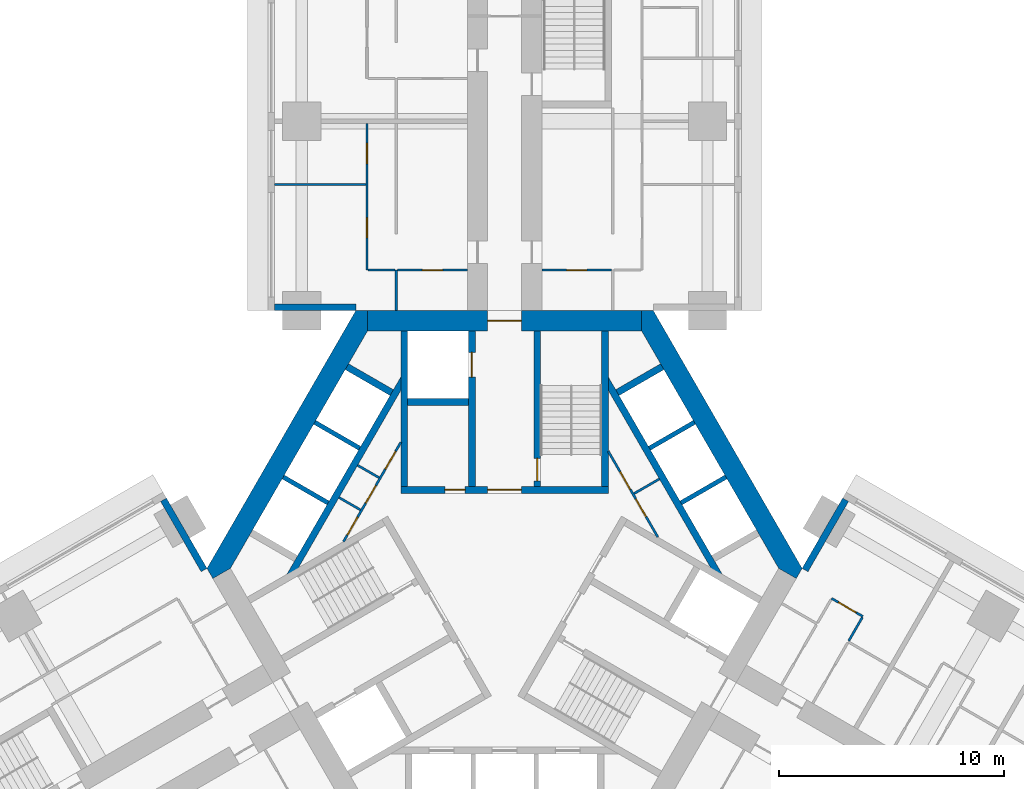
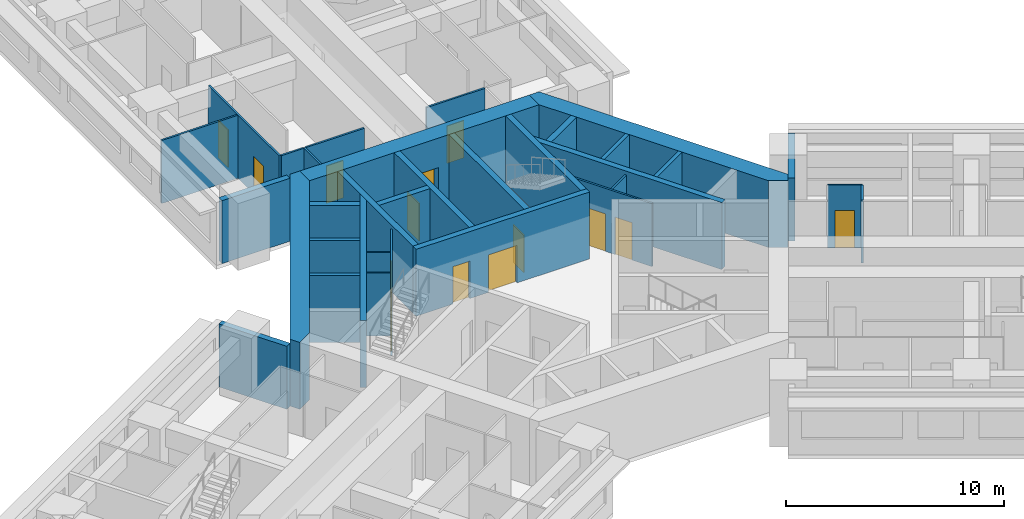
# One storey, part 8 of 16: 33 walls, 15 doors, 15 openings.
"""IFC4 building model written with IfcOpenShell, lengths in metres."""

from ifc_helpers import new_model, si_unit, direction, frame, frame_2d, origin, place, context, subcontext, project, spatial, polyline, rectangle, outline, extrude, material, layer, layer_set, type_object, element, fill, save


model = new_model("IFC4")

# Units and contexts
model_context = context("Model", 3, precision=1e-05, world=origin(), true_north=direction((0.0, 1.0)))
body_context = subcontext(model_context, "Body", "Model", "MODEL_VIEW")
ifc_project = project(units=[si_unit("LENGTHUNIT", "METRE"), si_unit("AREAUNIT", "SQUARE_METRE"), si_unit("VOLUMEUNIT", "CUBIC_METRE"), si_unit("PLANEANGLEUNIT", "RADIAN"), si_unit("MASSUNIT", "GRAM", prefix="KILO")], contexts=[model_context])

# Site, building, storey
site_placement = place(None, origin())
site = spatial("IfcSite", under=ifc_project, at=site_placement, CompositionType="ELEMENT")
building_placement = place(site_placement, origin())
building = spatial("IfcBuilding", under=site, at=building_placement, Name="Impinga Residences", CompositionType="ELEMENT")
storey_placement = place(building_placement, frame((0.0, 0.0, 37.25)))
storey = spatial("IfcBuildingStorey", under=building, at=storey_placement, Name="L08", CompositionType="ELEMENT", Elevation=37.25)

# Wall, openings, doors
ifc_material_1 = material(Name="Concrete blockwork", Category="masonry")
ifc_layer_1 = layer(ifc_material_1, 0.10009765625)
ifc_layer_set_1 = layer_set([ifc_layer_1], Name="CP1 core room partition, blockwork 100")
wall_type_1 = type_object("IfcWallType", Name="CP1 core room partition, blockwork 100", PredefinedType="PARTITIONING", material=ifc_layer_set_1)
wall_1_placement = place(storey_placement, frame((4.60009765625, 5.195556640625, 0.0), z_axis=(0.0, 0.0, 1.0), x_axis=(0.500001098885, -0.866024769342, 0.0)))
wall_1 = element("IfcWall", 1, at=wall_1_placement, inside=storey, type_object=wall_type_1, Name="Core room partition, blockwork L08:CORE:mid:FP", PredefinedType="PARTITIONING", context=body_context, shape_type="SweptSolid", body=[
    extrude(rectangle(XDim=4.39892578125, YDim=0.10009765625, at=frame_2d((2.199462890625, 0.0))), origin(), (0.0, 0.0, 1.0), 3.530029296875),
])
opening_1_placement = place(wall_1_placement, frame((1.049560546875, 0.0, 0.0)))
opening_1 = element("IfcOpeningElement", 2, at=opening_1_placement, cuts=wall_1, Name="Opening D6", PredefinedType="OPENING", context=body_context, shape_type="SweptSolid", body=[
    extrude(rectangle(XDim=0.89990234375, YDim=2.10009765625, at=frame_2d((0.449951171875, 1.050048828125))), frame((0.0, 0.06005859375, 0.0), z_axis=(0.0, -1.0, 0.0), x_axis=(1.0, 0.0, 0.0)), (0.0, 0.0, 1.0), 0.1201171875),
])
opening_2_placement = place(wall_1_placement, frame((2.449462890625, 0.0, 0.0)))
opening_2 = element("IfcOpeningElement", 3, at=opening_2_placement, cuts=wall_1, Name="Opening D6", PredefinedType="OPENING", context=body_context, shape_type="SweptSolid", body=[
    extrude(rectangle(XDim=0.89990234375, YDim=2.10009765625, at=frame_2d((0.449951171875, 1.050048828125))), frame((0.0, 0.06005859375, 0.0), z_axis=(0.0, -1.0, 0.0), x_axis=(1.0, 0.0, 0.0)), (0.0, 0.0, 1.0), 0.1201171875),
])
ifc_material_2 = material(Name="Timber door set", Category="wood")
door_type_1 = type_object("IfcDoorType", Name="D6 riser and store door 900x2100", OperationType="SINGLE_SWING_LEFT", PredefinedType="DOOR", material=ifc_material_2)
door_1_placement = place(opening_1_placement, origin())
door_1 = element("IfcDoor", 4, at=door_1_placement, inside=storey, type_object=door_type_1, Name="Cleaners' store door", OperationType="SINGLE_SWING_LEFT", OverallHeight=2.10009765625, OverallWidth=0.89990234375, PredefinedType="DOOR", context=body_context, shape_type="SweptSolid", body=[
    extrude(rectangle(XDim=0.89990234375, YDim=2.10009765625, at=frame_2d((0.449951171875, 1.050048828125))), frame((0.0, 0.02490234375, 0.0), z_axis=(0.0, -1.0, 0.0), x_axis=(1.0, 0.0, 0.0)), (0.0, 0.0, 1.0), 0.050048828125),
])
fill(opening_1, door_1)
door_2_placement = place(opening_2_placement, origin())
door_2 = element("IfcDoor", 5, at=door_2_placement, inside=storey, type_object=door_type_1, Name="Parcel store door", OperationType="SINGLE_SWING_RIGHT", OverallHeight=2.10009765625, OverallWidth=0.89990234375, PredefinedType="DOOR", context=body_context, shape_type="SweptSolid", body=[
    extrude(rectangle(XDim=0.89990234375, YDim=2.10009765625, at=frame_2d((0.449951171875, 1.050048828125))), frame((0.0, 0.02490234375, 0.0), z_axis=(0.0, -1.0, 0.0), x_axis=(1.0, 0.0, 0.0)), (0.0, 0.0, 1.0), 0.050048828125),
])
fill(opening_2, door_2)

# Wall
wall_2_placement = place(storey_placement, frame((5.7431640625, 3.315673828125, 0.0), z_axis=(0.0, 0.0, 1.0), x_axis=(0.86595725628, 0.500118016368, 0.0)))
element("IfcWall", 6, at=wall_2_placement, inside=storey, type_object=wall_type_1, Name="Core room partition, blockwork L08:CORE:mid:FS", PredefinedType="PARTITIONING", context=body_context, shape_type="SweptSolid", body=[
    extrude(rectangle(XDim=1.300048828125, YDim=0.10009765625, at=frame_2d((0.64990234375, 0.0))), origin(), (0.0, 0.0, 1.0), 3.530029296875),
])

# Wall, openings, doors
wall_3_placement = place(storey_placement, frame((-7.14599609375, 1.185791015625, 0.0), z_axis=(0.0, 0.0, 1.0), x_axis=(0.499975622669, 0.866039477586, 0.0)))
wall_3 = element("IfcWall", 7, at=wall_3_placement, inside=storey, type_object=wall_type_1, Name="Core room partition, blockwork L08:CORE:high:FP", PredefinedType="PARTITIONING", context=body_context, shape_type="SweptSolid", body=[
    extrude(rectangle(XDim=5.092041015625, YDim=0.10009765625, at=frame_2d((2.5458984375, 0.0))), origin(), (0.0, 0.0, 1.0), 3.530029296875),
])
opening_3_placement = place(wall_3_placement, frame((0.347900390625, 0.0, 0.0)))
opening_3 = element("IfcOpeningElement", 8, at=opening_3_placement, cuts=wall_3, Name="Opening D6", PredefinedType="OPENING", context=body_context, shape_type="SweptSolid", body=[
    extrude(rectangle(XDim=0.89990234375, YDim=2.10009765625, at=frame_2d((0.449951171875, 1.050048828125))), frame((0.0, 0.06005859375, 0.0), z_axis=(0.0, -1.0, 0.0), x_axis=(1.0, 0.0, 0.0)), (0.0, 0.0, 1.0), 0.1201171875),
])
opening_4_placement = place(wall_3_placement, frame((1.970947265625, 0.0, 0.0)))
opening_4 = element("IfcOpeningElement", 9, at=opening_4_placement, cuts=wall_3, Name="Opening D6", PredefinedType="OPENING", context=body_context, shape_type="SweptSolid", body=[
    extrude(rectangle(XDim=0.89990234375, YDim=2.10009765625, at=frame_2d((0.449951171875, 1.050048828125))), frame((0.0, 0.06005859375, 0.0), z_axis=(0.0, -1.0, 0.0), x_axis=(1.0, 0.0, 0.0)), (0.0, 0.0, 1.0), 0.1201171875),
])
opening_5_placement = place(wall_3_placement, frame((3.718994140625, 0.0, 0.0)))
opening_5 = element("IfcOpeningElement", 10, at=opening_5_placement, cuts=wall_3, Name="Opening D6", PredefinedType="OPENING", context=body_context, shape_type="SweptSolid", body=[
    extrude(rectangle(XDim=0.89990234375, YDim=2.10009765625, at=frame_2d((0.449951171875, 1.050048828125))), frame((0.0, 0.06005859375, 0.0), z_axis=(0.0, -1.0, 0.0), x_axis=(1.0, 0.0, 0.0)), (0.0, 0.0, 1.0), 0.1201171875),
])
door_3_placement = place(opening_3_placement, origin())
door_3 = element("IfcDoor", 11, at=door_3_placement, inside=storey, type_object=door_type_1, Name="Riser cupboard door", OperationType="SINGLE_SWING_LEFT", OverallHeight=2.10009765625, OverallWidth=0.89990234375, PredefinedType="DOOR", context=body_context, shape_type="SweptSolid", body=[
    extrude(rectangle(XDim=0.89990234375, YDim=2.10009765625, at=frame_2d((0.449951171875, 1.050048828125))), frame((0.0, 0.02490234375, 0.0), z_axis=(0.0, -1.0, 0.0), x_axis=(1.0, 0.0, 0.0)), (0.0, 0.0, 1.0), 0.050048828125),
])
fill(opening_3, door_3)
door_4_placement = place(opening_4_placement, origin())
door_4 = element("IfcDoor", 12, at=door_4_placement, inside=storey, type_object=door_type_1, Name="Linen store door", OperationType="SINGLE_SWING_LEFT", OverallHeight=2.10009765625, OverallWidth=0.89990234375, PredefinedType="DOOR", context=body_context, shape_type="SweptSolid", body=[
    extrude(rectangle(XDim=0.89990234375, YDim=2.10009765625, at=frame_2d((0.449951171875, 1.050048828125))), frame((0.0, 0.02490234375, 0.0), z_axis=(0.0, -1.0, 0.0), x_axis=(1.0, 0.0, 0.0)), (0.0, 0.0, 1.0), 0.050048828125),
])
fill(opening_4, door_4)
door_5_placement = place(opening_5_placement, origin())
door_5 = element("IfcDoor", 13, at=door_5_placement, inside=storey, type_object=door_type_1, Name="Bulky waste store door", OperationType="SINGLE_SWING_RIGHT", OverallHeight=2.10009765625, OverallWidth=0.89990234375, PredefinedType="DOOR", context=body_context, shape_type="SweptSolid", body=[
    extrude(rectangle(XDim=0.89990234375, YDim=2.10009765625, at=frame_2d((0.449951171875, 1.050048828125))), frame((0.0, 0.02490234375, 0.0), z_axis=(0.0, -1.0, 0.0), x_axis=(1.0, 0.0, 0.0)), (0.0, 0.0, 1.0), 0.050048828125),
])
fill(opening_5, door_5)

# Walls
for number, where, z_axis, x_axis, name in (
    (14, (-6.391357421875, 2.593017578125, 0.0), (0.0, 0.0, 1.0), (-0.866008176907, 0.50002983664, 0.0), "Core room partition, blockwork L08:CORE:high:FS1"),
    (15, (-5.566162109375, 4.02197265625, 0.0), (0.0, 0.0, 1.0), (-0.866008176907, 0.50002983664, 0.0), "Core room partition, blockwork L08:CORE:high:FS2"),
):
    element("IfcWall", number, at=place(storey_placement, frame(where, z_axis=z_axis, x_axis=x_axis)), inside=storey, type_object=wall_type_1, Name=name, PredefinedType="PARTITIONING", context=body_context, shape_type="SweptSolid", body=[
        extrude(rectangle(XDim=1.10009765625, YDim=0.10009765625, at=frame_2d((0.550048828125, 0.0))), origin(), (0.0, 0.0, 1.0), 3.530029296875),
    ])
ifc_material_3 = material(Name="Terracotta rainscreen on blockwork", Category="masonry")
ifc_layer_2 = layer(ifc_material_3, 0.300048828125)
ifc_layer_set_2 = layer_set([ifc_layer_2], Name="EW1 external wall, terracotta rainscreen on blockwork 300")
wall_type_2 = type_object("IfcWallType", Name="EW1 external wall, terracotta rainscreen on blockwork 300", PredefinedType="SOLIDWALL", material=ifc_layer_set_2)
wall_4_placement = place(storey_placement, frame((-15.1298828125, 3.042724609375, 0.0), z_axis=(0.0, 0.0, 1.0), x_axis=(0.500012057535, -0.866018442252, 0.0)))
element("IfcWall", 16, at=wall_4_placement, inside=storey, type_object=wall_type_2, Name="External wall EW1 L08", PredefinedType="SOLIDWALL", context=body_context, shape_type="SweptSolid", body=[
    extrude(rectangle(XDim=3.60009765625, YDim=0.300048828125, at=frame_2d((1.800048828125, 0.0))), origin(), (0.0, 0.0, 1.0), 3.530029296875),
])
wall_5_placement = place(storey_placement, frame((-6.60009765625, 11.58154296875, 0.0), z_axis=(0.0, 0.0, 1.0), x_axis=(-1.0, 0.0, 0.0)))
element("IfcWall", 17, at=wall_5_placement, inside=storey, type_object=wall_type_2, Name="External wall EW1 L08", PredefinedType="SOLIDWALL", context=body_context, shape_type="SweptSolid", body=[
    extrude(rectangle(XDim=3.599853515625, YDim=0.300048828125, at=frame_2d((1.7998046875, 0.0))), origin(), (0.0, 0.0, 1.0), 3.530029296875),
])
wall_6_placement = place(storey_placement, frame((13.329833984375, -0.074951171875, 0.0), z_axis=(0.0, 0.0, 1.0), x_axis=(0.500012057535, 0.866018442252, 0.0)))
element("IfcWall", 18, at=wall_6_placement, inside=storey, type_object=wall_type_2, Name="External wall EW1 L08", PredefinedType="SOLIDWALL", context=body_context, shape_type="SweptSolid", body=[
    extrude(rectangle(XDim=3.60009765625, YDim=0.300048828125, at=frame_2d((1.800048828125, 0.0))), origin(), (0.0, 0.0, 1.0), 3.530029296875),
])
ifc_material_4 = material(Name="Gypsum board on steel studs", Category="steel")
ifc_layer_3 = layer(ifc_material_4, 0.10009765625)
ifc_layer_set_3 = layer_set([ifc_layer_3], Name="Gypsum board on steel studs")
wall_type_3 = type_object("IfcWallType", Name="IP1 partition 100", PredefinedType="PARTITIONING", material=ifc_layer_set_3)
wall_7_placement = place(storey_placement, frame((-4.800048828125, 11.431640625, 0.0), z_axis=(0.0, 0.0, 1.0), x_axis=(0.0, 1.0, 0.0)))
element("IfcWall", 19, at=wall_7_placement, inside=storey, type_object=wall_type_3, Name="Partition L08-NA1:DIV0", PredefinedType="PARTITIONING", context=body_context, shape_type="SweptSolid", body=[
    extrude(rectangle(XDim=1.7998046875, YDim=0.10009765625, at=frame_2d((0.89990234375, 0.0))), origin(), (0.0, 0.0, 1.0), 3.530029296875),
])

# Wall, openings, doors
wall_8_placement = place(storey_placement, frame((-6.10009765625, 13.2314453125, 0.0), z_axis=(0.0, 0.0, 1.0), x_axis=(0.0, 1.0, 0.0)))
wall_8 = element("IfcWall", 20, at=wall_8_placement, inside=storey, type_object=wall_type_3, Name="Partition L08-NA1:STRIP", PredefinedType="PARTITIONING", context=body_context, shape_type="SweptSolid", body=[
    extrude(rectangle(XDim=6.5, YDim=0.10009765625, at=frame_2d((3.25, 0.0))), origin(), (0.0, 0.0, 1.0), 3.530029296875),
])
opening_6_placement = place(wall_8_placement, frame((1.425048828125, 0.0, 0.0)))
opening_6 = element("IfcOpeningElement", 21, at=opening_6_placement, cuts=wall_8, Name="Opening D2", PredefinedType="OPENING", context=body_context, shape_type="SweptSolid", body=[
    extrude(rectangle(XDim=0.89990234375, YDim=2.10009765625, at=frame_2d((0.449951171875, 1.050048828125))), frame((0.0, 0.06005859375, 0.0), z_axis=(0.0, -1.0, 0.0), x_axis=(1.0, 0.0, 0.0)), (0.0, 0.0, 1.0), 0.1201171875),
])
opening_7_placement = place(wall_8_placement, frame((4.72509765625, 0.0, 0.0)))
opening_7 = element("IfcOpeningElement", 22, at=opening_7_placement, cuts=wall_8, Name="Opening D2", PredefinedType="OPENING", context=body_context, shape_type="SweptSolid", body=[
    extrude(rectangle(XDim=0.89990234375, YDim=2.10009765625, at=frame_2d((0.449951171875, 1.050048828125))), frame((0.0, 0.06005859375, 0.0), z_axis=(0.0, -1.0, 0.0), x_axis=(1.0, 0.0, 0.0)), (0.0, 0.0, 1.0), 0.1201171875),
])
door_type_2 = type_object("IfcDoorType", Name="D2 internal door 900x2100", OperationType="SINGLE_SWING_LEFT", PredefinedType="DOOR", material=ifc_material_2)
door_6_placement = place(opening_6_placement, origin())
door_6 = element("IfcDoor", 23, at=door_6_placement, inside=storey, type_object=door_type_2, Name="Apartment L08-NA1 room door", OperationType="SINGLE_SWING_LEFT", OverallHeight=2.10009765625, OverallWidth=0.89990234375, PredefinedType="DOOR", context=body_context, shape_type="SweptSolid", body=[
    extrude(rectangle(XDim=0.89990234375, YDim=2.10009765625, at=frame_2d((0.449951171875, 1.050048828125))), frame((0.0, 0.02490234375, 0.0), z_axis=(0.0, -1.0, 0.0), x_axis=(1.0, 0.0, 0.0)), (0.0, 0.0, 1.0), 0.050048828125),
])
fill(opening_6, door_6)
door_7_placement = place(opening_7_placement, origin())
door_7 = element("IfcDoor", 24, at=door_7_placement, inside=storey, type_object=door_type_2, Name="Apartment L08-NA1 room door", OperationType="SINGLE_SWING_RIGHT", OverallHeight=2.10009765625, OverallWidth=0.89990234375, PredefinedType="DOOR", context=body_context, shape_type="SweptSolid", body=[
    extrude(rectangle(XDim=0.89990234375, YDim=2.10009765625, at=frame_2d((0.449951171875, 1.050048828125))), frame((0.0, 0.02490234375, 0.0), z_axis=(0.0, -1.0, 0.0), x_axis=(1.0, 0.0, 0.0)), (0.0, 0.0, 1.0), 0.050048828125),
])
fill(opening_7, door_7)

# Wall
wall_9_placement = place(storey_placement, frame((-4.85009765625, 13.2314453125, 0.0), z_axis=(0.0, 0.0, 1.0), x_axis=(-1.0, 0.0, 0.0)))
element("IfcWall", 25, at=wall_9_placement, inside=storey, type_object=wall_type_3, Name="Partition L08-NA1:SE0", PredefinedType="PARTITIONING", context=body_context, shape_type="SweptSolid", body=[
    extrude(rectangle(XDim=1.199951171875, YDim=0.10009765625, at=frame_2d((0.60009765625, 0.0))), origin(), (0.0, 0.0, 1.0), 3.530029296875),
])

# Wall, opening, door
wall_10_placement = place(storey_placement, frame((-1.64990234375, 13.2314453125, 0.0), z_axis=(0.0, 0.0, 1.0), x_axis=(-1.0, 0.0, 0.0)))
wall_10 = element("IfcWall", 26, at=wall_10_placement, inside=storey, type_object=wall_type_3, Name="Partition L08-NA1:IB1", PredefinedType="PARTITIONING", context=body_context, shape_type="SweptSolid", body=[
    extrude(rectangle(XDim=3.10009765625, YDim=0.10009765625, at=frame_2d((1.550048828125, 0.0))), origin(), (0.0, 0.0, 1.0), 3.530029296875),
])
opening_8_placement = place(wall_10_placement, frame((1.10009765625, 0.0, 0.0)))
opening_8 = element("IfcOpeningElement", 27, at=opening_8_placement, cuts=wall_10, Name="Opening D2", PredefinedType="OPENING", context=body_context, shape_type="SweptSolid", body=[
    extrude(rectangle(XDim=0.89990234375, YDim=2.10009765625, at=frame_2d((0.449951171875, 1.050048828125))), frame((0.0, 0.06005859375, 0.0), z_axis=(0.0, -1.0, 0.0), x_axis=(1.0, 0.0, 0.0)), (0.0, 0.0, 1.0), 0.1201171875),
])
door_8_placement = place(opening_8_placement, origin())
door_8 = element("IfcDoor", 28, at=door_8_placement, inside=storey, type_object=door_type_2, Name="Apartment L08-NA1 bathroom door", OperationType="SINGLE_SWING_LEFT", OverallHeight=2.10009765625, OverallWidth=0.89990234375, PredefinedType="DOOR", context=body_context, shape_type="SweptSolid", body=[
    extrude(rectangle(XDim=0.89990234375, YDim=2.10009765625, at=frame_2d((0.449951171875, 1.050048828125))), frame((0.0, 0.02490234375, 0.0), z_axis=(0.0, -1.0, 0.0), x_axis=(1.0, 0.0, 0.0)), (0.0, 0.0, 1.0), 0.050048828125),
])
fill(opening_8, door_8)

# Wall
wall_11_placement = place(storey_placement, frame((-6.14990234375, 17.031494140625, 0.0), z_axis=(0.0, 0.0, 1.0), x_axis=(-1.0, 0.0, 0.0)))
element("IfcWall", 29, at=wall_11_placement, inside=storey, type_object=wall_type_3, Name="Partition L08-NA1:OB1", PredefinedType="PARTITIONING", context=body_context, shape_type="SweptSolid", body=[
    extrude(rectangle(XDim=4.050048828125, YDim=0.10009765625, at=frame_2d((2.02490234375, 0.0))), origin(), (0.0, 0.0, 1.0), 3.530029296875),
])

# Wall, opening, door
wall_12_placement = place(storey_placement, frame((1.64990234375, 13.2314453125, 0.0), z_axis=(0.0, 0.0, 1.0), x_axis=(1.0, 0.0, 0.0)))
wall_12 = element("IfcWall", 30, at=wall_12_placement, inside=storey, type_object=wall_type_3, Name="Partition L08-NF1:IB1", PredefinedType="PARTITIONING", context=body_context, shape_type="SweptSolid", body=[
    extrude(rectangle(XDim=3.10009765625, YDim=0.10009765625, at=frame_2d((1.550048828125, 0.0))), origin(), (0.0, 0.0, 1.0), 3.530029296875),
])
opening_9_placement = place(wall_12_placement, frame((1.10009765625, 0.0, 0.0)))
opening_9 = element("IfcOpeningElement", 31, at=opening_9_placement, cuts=wall_12, Name="Opening D2", PredefinedType="OPENING", context=body_context, shape_type="SweptSolid", body=[
    extrude(rectangle(XDim=0.89990234375, YDim=2.10009765625, at=frame_2d((0.449951171875, 1.050048828125))), frame((0.0, 0.06005859375, 0.0), z_axis=(0.0, -1.0, 0.0), x_axis=(1.0, 0.0, 0.0)), (0.0, 0.0, 1.0), 0.1201171875),
])
door_9_placement = place(opening_9_placement, origin())
door_9 = element("IfcDoor", 32, at=door_9_placement, inside=storey, type_object=door_type_2, Name="Apartment L08-NF1 bathroom door", OperationType="SINGLE_SWING_LEFT", OverallHeight=2.10009765625, OverallWidth=0.89990234375, PredefinedType="DOOR", context=body_context, shape_type="SweptSolid", body=[
    extrude(rectangle(XDim=0.89990234375, YDim=2.10009765625, at=frame_2d((0.449951171875, 1.050048828125))), frame((0.0, 0.02490234375, 0.0), z_axis=(0.0, -1.0, 0.0), x_axis=(1.0, 0.0, 0.0)), (0.0, 0.0, 1.0), 0.050048828125),
])
fill(opening_9, door_9)

wall_13_placement = place(storey_placement, frame((14.5087890625, -1.3330078125, 0.0), z_axis=(0.0, 0.0, 1.0), x_axis=(0.866028054938, -0.499995408039, 0.0)))
wall_13 = element("IfcWall", 33, at=wall_13_placement, inside=storey, type_object=wall_type_3, Name="Partition L08-EA1:STRIP", PredefinedType="PARTITIONING", context=body_context, shape_type="SweptSolid", body=[
    extrude(rectangle(XDim=1.60009765625, YDim=0.10009765625, at=frame_2d((0.800048828125, 0.0))), origin(), (0.0, 0.0, 1.0), 3.530029296875),
])
opening_10_placement = place(wall_13_placement, frame((0.35009765625, 0.0, 0.0)))
opening_10 = element("IfcOpeningElement", 34, at=opening_10_placement, cuts=wall_13, Name="Opening D2", PredefinedType="OPENING", context=body_context, shape_type="SweptSolid", body=[
    extrude(rectangle(XDim=0.89990234375, YDim=2.10009765625, at=frame_2d((0.449951171875, 1.050048828125))), frame((0.0, 0.06005859375, 0.0), z_axis=(0.0, -1.0, 0.0), x_axis=(1.0, 0.0, 0.0)), (0.0, 0.0, 1.0), 0.1201171875),
])
door_10_placement = place(opening_10_placement, origin())
door_10 = element("IfcDoor", 35, at=door_10_placement, inside=storey, type_object=door_type_2, Name="Apartment L08-EA1 room door", OperationType="SINGLE_SWING_LEFT", OverallHeight=2.10009765625, OverallWidth=0.89990234375, PredefinedType="DOOR", context=body_context, shape_type="SweptSolid", body=[
    extrude(rectangle(XDim=0.89990234375, YDim=2.10009765625, at=frame_2d((0.449951171875, 1.050048828125))), frame((0.0, 0.02490234375, 0.0), z_axis=(0.0, -1.0, 0.0), x_axis=(1.0, 0.0, 0.0)), (0.0, 0.0, 1.0), 0.050048828125),
])
fill(opening_10, door_10)

# Wall
wall_14_placement = place(storey_placement, frame((15.26953125, -3.215576171875, 0.0), z_axis=(0.0, 0.0, 1.0), x_axis=(0.499880961361, 0.866094119867, 0.0)))
element("IfcWall", 36, at=wall_14_placement, inside=storey, type_object=wall_type_3, Name="Partition L08-EA1:SE1", PredefinedType="PARTITIONING", context=body_context, shape_type="SweptSolid", body=[
    extrude(rectangle(XDim=1.199951171875, YDim=0.10009765625, at=frame_2d((0.60009765625, 0.0))), origin(), (0.0, 0.0, 1.0), 3.530029296875),
])

# Wall, opening, door
ifc_material_5 = material(Name="Concrete C70/85", Category="concrete")
ifc_layer_4 = layer(ifc_material_5, 0.89990234375)
ifc_layer_set_4 = layer_set([ifc_layer_4], Name="Concrete C70/85")
wall_type_4 = type_object("IfcWallType", Name="SW1 core wall 900", PredefinedType="SHEAR", material=ifc_layer_set_4)
wall_15_placement = place(storey_placement, frame((-6.080322265625, 10.9814453125, 0.0), z_axis=(0.0, 0.0, 1.0), x_axis=(1.0, 0.0, 0.0)))
wall_15 = element("IfcWall", 37, at=wall_15_placement, inside=storey, type_object=wall_type_4, Name="Core wall SW1 N:FACE L08", PredefinedType="SHEAR", context=body_context, shape_type="SweptSolid", body=[
    extrude(rectangle(XDim=12.16064453125, YDim=0.89990234375, at=frame_2d((6.080322265625, 0.0))), origin(), (0.0, 0.0, 1.0), 3.75),
])
opening_11_placement = place(wall_15_placement, frame((5.330322265625, 0.0, 0.0)))
opening_11 = element("IfcOpeningElement", 38, at=opening_11_placement, cuts=wall_15, Name="Opening D4", PredefinedType="OPENING", context=body_context, shape_type="SweptSolid", body=[
    extrude(rectangle(XDim=1.5, YDim=2.10009765625, at=frame_2d((0.75, 1.050048828125))), frame((0.0, 0.4599609375, 0.0), z_axis=(0.0, -1.0, 0.0), x_axis=(1.0, 0.0, 0.0)), (0.0, 0.0, 1.0), 0.919921875),
])
door_type_3 = type_object("IfcDoorType", Name="D4 lobby door pair 1500x2100", OperationType="DOUBLE_DOOR_DOUBLE_SWING", PredefinedType="DOOR", material=ifc_material_2)
door_11_placement = place(opening_11_placement, origin())
door_11 = element("IfcDoor", 39, at=door_11_placement, inside=storey, type_object=door_type_3, Name="Lobby door N", OperationType="DOUBLE_DOOR_DOUBLE_SWING", OverallHeight=2.10009765625, OverallWidth=1.5, PredefinedType="DOOR", context=body_context, shape_type="SweptSolid", body=[
    extrude(rectangle(XDim=1.5, YDim=2.10009765625, at=frame_2d((0.75, 1.050048828125))), frame((0.0, 0.02490234375, 0.0), z_axis=(0.0, -1.0, 0.0), x_axis=(1.0, 0.0, 0.0)), (0.0, 0.0, 1.0), 0.050048828125),
])
fill(opening_11, door_11)

# Walls
wall_16_placement = place(storey_placement, origin())
element("IfcWall", 40, at=wall_16_placement, inside=storey, type_object=wall_type_4, Name="Core wall SW1 W:EXPOSED L08", PredefinedType="SHEAR", context=body_context, shape_type="SweptSolid", body=[
    extrude(outline(polyline([(13.199951171875, 0.0), (6.60009765625, 11.431640625), (6.080322265625, 11.431640625), (6.080322265625, 10.531494140625), (12.160888671875, 0.0), (12.940185546875, -0.449951171875), (13.199951171875, 0.0)])), origin(), (0.0, 0.0, 1.0), 3.75),
])
wall_17_placement = place(storey_placement, origin())
element("IfcWall", 41, at=wall_17_placement, inside=storey, type_object=wall_type_4, Name="Core wall SW1 E:EXPOSED L08", PredefinedType="SHEAR", context=body_context, shape_type="SweptSolid", body=[
    extrude(outline(polyline([(-6.60009765625, 11.431640625), (-13.199951171875, 0.0), (-12.940185546875, -0.449951171875), (-12.160888671875, 0.0), (-6.080322265625, 10.531494140625), (-6.080322265625, 11.431640625), (-6.60009765625, 11.431640625)])), origin(), (0.0, 0.0, 1.0), 3.75),
])

# Wall, openings, doors
ifc_layer_5 = layer(ifc_material_5, 0.300048828125)
ifc_layer_set_5 = layer_set([ifc_layer_5], Name="Concrete C70/85")
wall_type_5 = type_object("IfcWallType", Name="SW5 core inner wall, stairs, shafts and lobbies 300", PredefinedType="SHEAR", material=ifc_layer_set_5)
wall_18_placement = place(storey_placement, frame((-4.60009765625, 3.47998046875, 0.0), z_axis=(0.0, 0.0, 1.0), x_axis=(1.0, 0.0, 0.0)))
wall_18 = element("IfcWall", 42, at=wall_18_placement, inside=storey, type_object=wall_type_5, Name="Core wall SW5 N:ZONE L08", PredefinedType="SHEAR", context=body_context, shape_type="SweptSolid", body=[
    extrude(rectangle(XDim=9.2001953125, YDim=0.300048828125, at=frame_2d((4.60009765625, 0.0))), origin(), (0.0, 0.0, 1.0), 3.75),
])
opening_12_placement = place(wall_18_placement, frame((3.85009765625, 0.0, 0.0)))
opening_12 = element("IfcOpeningElement", 43, at=opening_12_placement, cuts=wall_18, Name="Opening D4", PredefinedType="OPENING", context=body_context, shape_type="SweptSolid", body=[
    extrude(rectangle(XDim=1.5, YDim=2.10009765625, at=frame_2d((0.75, 1.050048828125))), frame((0.0, 0.159912109375, 0.0), z_axis=(0.0, -1.0, 0.0), x_axis=(1.0, 0.0, 0.0)), (0.0, 0.0, 1.0), 0.320068359375),
])
opening_13_placement = place(wall_18_placement, frame((1.949951171875, 0.0, 0.0)))
opening_13 = element("IfcOpeningElement", 44, at=opening_13_placement, cuts=wall_18, Name="Opening D6", PredefinedType="OPENING", context=body_context, shape_type="SweptSolid", body=[
    extrude(rectangle(XDim=0.89990234375, YDim=2.10009765625, at=frame_2d((0.449951171875, 1.050048828125))), frame((0.0, 0.159912109375, 0.0), z_axis=(0.0, -1.0, 0.0), x_axis=(1.0, 0.0, 0.0)), (0.0, 0.0, 1.0), 0.320068359375),
])
door_12_placement = place(opening_12_placement, origin())
door_12 = element("IfcDoor", 45, at=door_12_placement, inside=storey, type_object=door_type_3, Name="Firefighting lobby door N", OperationType="DOUBLE_DOOR_DOUBLE_SWING", OverallHeight=2.10009765625, OverallWidth=1.5, PredefinedType="DOOR", context=body_context, shape_type="SweptSolid", body=[
    extrude(rectangle(XDim=1.5, YDim=2.10009765625, at=frame_2d((0.75, 1.050048828125))), frame((0.0, 0.02490234375, 0.0), z_axis=(0.0, -1.0, 0.0), x_axis=(1.0, 0.0, 0.0)), (0.0, 0.0, 1.0), 0.050048828125),
])
fill(opening_12, door_12)
door_13_placement = place(opening_13_placement, origin())
door_13 = element("IfcDoor", 46, at=door_13_placement, inside=storey, type_object=door_type_1, Name="Riser door N", OperationType="SINGLE_SWING_LEFT", OverallHeight=2.10009765625, OverallWidth=0.89990234375, PredefinedType="DOOR", context=body_context, shape_type="SweptSolid", body=[
    extrude(rectangle(XDim=0.89990234375, YDim=2.10009765625, at=frame_2d((0.449951171875, 1.050048828125))), frame((0.0, 0.02490234375, 0.0), z_axis=(0.0, -1.0, 0.0), x_axis=(1.0, 0.0, 0.0)), (0.0, 0.0, 1.0), 0.050048828125),
])
fill(opening_13, door_13)

# Wall, opening, door
wall_19_placement = place(storey_placement, frame((1.449951171875, 3.6298828125, 0.0), z_axis=(0.0, 0.0, 1.0), x_axis=(0.0, 1.0, 0.0)))
wall_19 = element("IfcWall", 47, at=wall_19_placement, inside=storey, type_object=wall_type_5, Name="Core wall SW5 N:ST-IN L08", PredefinedType="SHEAR", context=body_context, shape_type="SweptSolid", body=[
    extrude(rectangle(XDim=6.901611328125, YDim=0.300048828125, at=frame_2d((3.45068359375, 0.0))), origin(), (0.0, 0.0, 1.0), 3.75),
])
opening_14_placement = place(wall_19_placement, frame((0.25, 0.0, 0.0)))
opening_14 = element("IfcOpeningElement", 48, at=opening_14_placement, cuts=wall_19, Name="Opening D5", PredefinedType="OPENING", context=body_context, shape_type="SweptSolid", body=[
    extrude(rectangle(XDim=1.0, YDim=2.10009765625, at=frame_2d((0.5, 1.050048828125))), frame((0.0, 0.159912109375, 0.0), z_axis=(0.0, -1.0, 0.0), x_axis=(1.0, 0.0, 0.0)), (0.0, 0.0, 1.0), 0.320068359375),
])
door_type_4 = type_object("IfcDoorType", Name="D5 stair door 1000x2100", OperationType="SINGLE_SWING_LEFT", PredefinedType="DOOR", material=ifc_material_2)
door_14_placement = place(opening_14_placement, origin())
door_14 = element("IfcDoor", 49, at=door_14_placement, inside=storey, type_object=door_type_4, Name="Stair door N", OperationType="SINGLE_SWING_LEFT", OverallHeight=2.10009765625, OverallWidth=1.0, PredefinedType="DOOR", context=body_context, shape_type="SweptSolid", body=[
    extrude(rectangle(XDim=1.0, YDim=2.10009765625, at=frame_2d((0.5, 1.050048828125))), frame((0.0, 0.02490234375, 0.0), z_axis=(0.0, -1.0, 0.0), x_axis=(1.0, 0.0, 0.0)), (0.0, 0.0, 1.0), 0.050048828125),
])
fill(opening_14, door_14)

# Wall
wall_20_placement = place(storey_placement, frame((4.449951171875, 3.6298828125, 0.0), z_axis=(0.0, 0.0, 1.0), x_axis=(0.0, 1.0, 0.0)))
element("IfcWall", 50, at=wall_20_placement, inside=storey, type_object=wall_type_5, Name="Core wall SW5 N:ST-OUT L08", PredefinedType="SHEAR", context=body_context, shape_type="SweptSolid", body=[
    extrude(rectangle(XDim=6.901611328125, YDim=0.300048828125, at=frame_2d((3.45068359375, 0.0))), origin(), (0.0, 0.0, 1.0), 3.75),
])

# Wall, opening, door
wall_21_placement = place(storey_placement, frame((-1.449951171875, 3.6298828125, 0.0), z_axis=(0.0, 0.0, 1.0), x_axis=(0.0, 1.0, 0.0)))
wall_21 = element("IfcWall", 51, at=wall_21_placement, inside=storey, type_object=wall_type_5, Name="Core wall SW5 N:FF-IN L08", PredefinedType="SHEAR", context=body_context, shape_type="SweptSolid", body=[
    extrude(rectangle(XDim=6.901611328125, YDim=0.300048828125, at=frame_2d((3.45068359375, 0.0))), origin(), (0.0, 0.0, 1.0), 3.75),
])
opening_15_placement = place(wall_21_placement, frame((4.85009765625, 0.0, 0.0)))
opening_15 = element("IfcOpeningElement", 52, at=opening_15_placement, cuts=wall_21, Name="Opening LD2", PredefinedType="OPENING", context=body_context, shape_type="SweptSolid", body=[
    extrude(rectangle(XDim=1.10009765625, YDim=2.10009765625, at=frame_2d((0.550048828125, 1.050048828125))), frame((0.0, 0.159912109375, 0.0), z_axis=(0.0, -1.0, 0.0), x_axis=(1.0, 0.0, 0.0)), (0.0, 0.0, 1.0), 0.320068359375),
])
ifc_material_6 = material(Name="Steel lift landing door", Category="steel")
door_type_5 = type_object("IfcDoorType", Name="LD2 firefighting lift landing door 1100x2100", OperationType="DOUBLE_DOOR_SLIDING", PredefinedType="DOOR", material=ifc_material_6)
door_15_placement = place(opening_15_placement, origin())
door_15 = element("IfcDoor", 53, at=door_15_placement, inside=storey, type_object=door_type_5, Name="Firefighting lift landing door F1", OperationType="DOUBLE_DOOR_SLIDING", OverallHeight=2.10009765625, OverallWidth=1.10009765625, PredefinedType="DOOR", context=body_context, shape_type="SweptSolid", body=[
    extrude(rectangle(XDim=1.10009765625, YDim=2.10009765625, at=frame_2d((0.550048828125, 1.050048828125))), frame((0.0, 0.02490234375, 0.0), z_axis=(0.0, -1.0, 0.0), x_axis=(1.0, 0.0, 0.0)), (0.0, 0.0, 1.0), 0.050048828125),
])
fill(opening_15, door_15)

# Walls
wall_22_placement = place(storey_placement, frame((-4.449951171875, 3.6298828125, 0.0), z_axis=(0.0, 0.0, 1.0), x_axis=(0.0, 1.0, 0.0)))
element("IfcWall", 54, at=wall_22_placement, inside=storey, type_object=wall_type_5, Name="Core wall SW5 N:FF-OUT L08", PredefinedType="SHEAR", context=body_context, shape_type="SweptSolid", body=[
    extrude(rectangle(XDim=6.901611328125, YDim=0.300048828125, at=frame_2d((3.45068359375, 0.0))), origin(), (0.0, 0.0, 1.0), 3.75),
])
wall_23_placement = place(storey_placement, frame((-4.300048828125, 7.3798828125, 0.0), z_axis=(0.0, 0.0, 1.0), x_axis=(1.0, 0.0, 0.0)))
element("IfcWall", 55, at=wall_23_placement, inside=storey, type_object=wall_type_5, Name="Core wall SW5 N:FF-RS L08", PredefinedType="SHEAR", context=body_context, shape_type="SweptSolid", body=[
    extrude(rectangle(XDim=2.699951171875, YDim=0.300048828125, at=frame_2d((1.35009765625, 0.0))), origin(), (0.0, 0.0, 1.0), 3.75),
])
wall_24_placement = place(storey_placement, frame((4.449951171875, 8.455322265625, 0.0), z_axis=(0.0, 0.0, 1.0), x_axis=(0.500002290144, -0.866024081565, 0.0)))
element("IfcWall", 56, at=wall_24_placement, inside=storey, type_object=wall_type_5, Name="Core wall SW5 W:BANK-FRONT L08", PredefinedType="SHEAR", context=body_context, shape_type="SweptSolid", body=[
    extrude(rectangle(XDim=10.1953125, YDim=0.300048828125, at=frame_2d((5.09765625, 0.0))), origin(), (0.0, 0.0, 1.0), 3.75),
])
wall_25_placement = place(storey_placement, frame((5.003662109375, 7.79638671875, 0.0), z_axis=(0.0, 0.0, 1.0), x_axis=(0.866053019151, 0.499952165731, 0.0)))
element("IfcWall", 57, at=wall_25_placement, inside=storey, type_object=wall_type_5, Name="Core wall SW5 W:BANK-L L08", PredefinedType="SHEAR", context=body_context, shape_type="SweptSolid", body=[
    extrude(rectangle(XDim=2.300048828125, YDim=0.300048828125, at=frame_2d((1.14990234375, 0.0))), origin(), (0.0, 0.0, 1.0), 3.75),
])
wall_26_placement = place(storey_placement, frame((-9.547607421875, -0.3740234375, 0.0), z_axis=(0.0, 0.0, 1.0), x_axis=(0.500002290144, 0.866024081565, 0.0)))
element("IfcWall", 58, at=wall_26_placement, inside=storey, type_object=wall_type_5, Name="Core wall SW5 E:BANK-FRONT L08", PredefinedType="SHEAR", context=body_context, shape_type="SweptSolid", body=[
    extrude(rectangle(XDim=10.1953125, YDim=0.300048828125, at=frame_2d((5.09765625, 0.0))), origin(), (0.0, 0.0, 1.0), 3.75),
])
wall_27_placement = place(storey_placement, frame((-5.003662109375, 7.79638671875, 0.0), z_axis=(0.0, 0.0, 1.0), x_axis=(-0.866053019151, 0.499952165731, 0.0)))
element("IfcWall", 59, at=wall_27_placement, inside=storey, type_object=wall_type_5, Name="Core wall SW5 E:BANK-R L08", PredefinedType="SHEAR", context=body_context, shape_type="SweptSolid", body=[
    extrude(rectangle(XDim=2.300048828125, YDim=0.300048828125, at=frame_2d((1.14990234375, 0.0))), origin(), (0.0, 0.0, 1.0), 3.75),
])
ifc_layer_6 = layer(ifc_material_5, 0.199951171875)
ifc_layer_set_6 = layer_set([ifc_layer_6], Name="Concrete C70/85")
wall_type_6 = type_object("IfcWallType", Name="SW6 lift shaft divider wall 200", PredefinedType="SHEAR", material=ifc_layer_set_6)
for number, where, z_axis, x_axis, name in (
    (60, (6.4287109375, 5.328125, 0.0), (0.0, 0.0, 1.0), (0.866007057882, 0.500031774688, 0.0), "Core wall SW6 W:BANK-D1 L08"),
    (61, (7.82861328125, 2.9033203125, 0.0), (0.0, 0.0, 1.0), (0.866053019151, 0.499952165731, 0.0), "Core wall SW6 W:BANK-D2 L08"),
    (62, (-7.82861328125, 2.9033203125, 0.0), (0.0, 0.0, 1.0), (-0.866053019151, 0.499952165731, 0.0), "Core wall SW6 E:BANK-D1 L08"),
    (63, (-6.4287109375, 5.328125, 0.0), (0.0, 0.0, 1.0), (-0.866007057882, 0.500031774688, 0.0), "Core wall SW6 E:BANK-D2 L08"),
):
    element("IfcWall", number, at=place(storey_placement, frame(where, z_axis=z_axis, x_axis=x_axis)), inside=storey, type_object=wall_type_6, Name=name, PredefinedType="SHEAR", context=body_context, shape_type="SweptSolid", body=[
        extrude(rectangle(XDim=2.300048828125, YDim=0.199951171875, at=frame_2d((1.14990234375, 0.0))), origin(), (0.0, 0.0, 1.0), 3.75),
    ])

save(model, "model.ifc")
